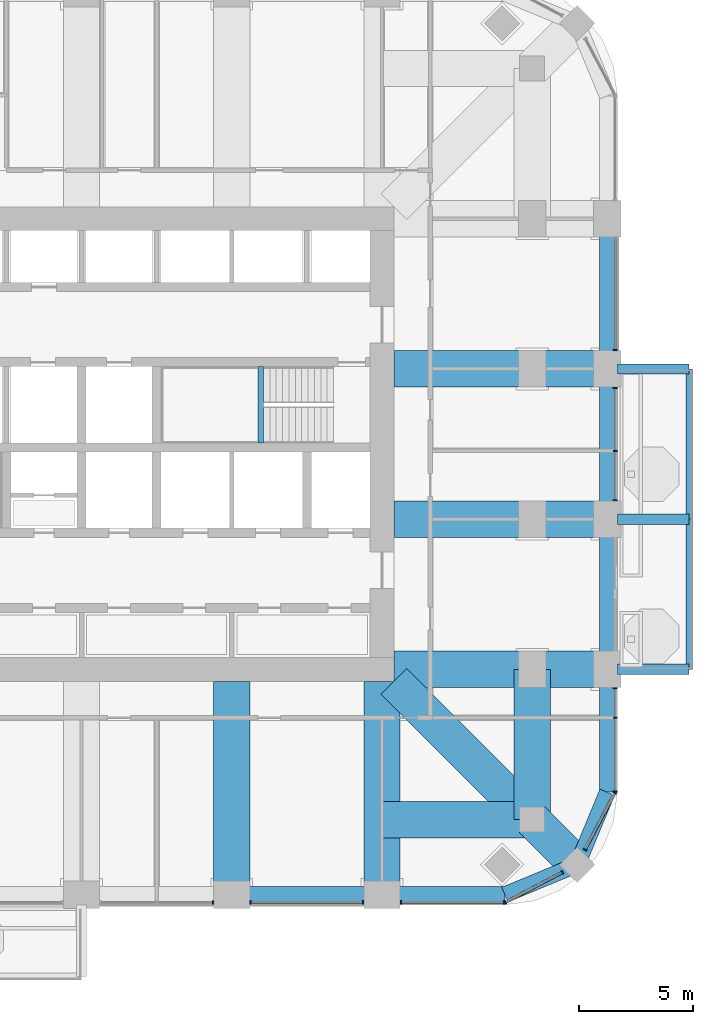
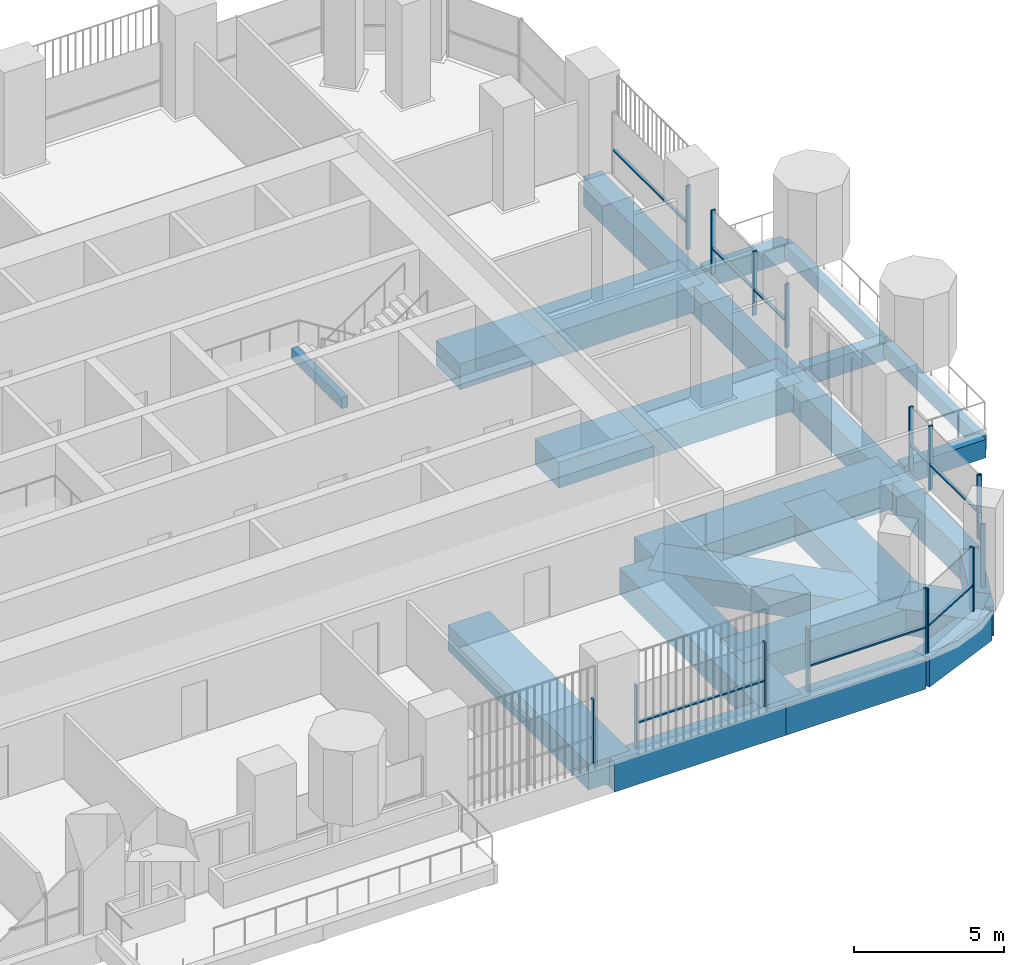
# One storey, part 5 of 20: 25 members, 23 beams, 8 elements without a shape of their own.
"""IFC4 building model written with IfcOpenShell, lengths in metres."""

from ifc_helpers import new_model, si_unit, direction, frame, origin, origin_2d, place, context, subcontext, project, spatial, rectangle, extrude, material, material_profile, profile_set, type_object, element, aggregate, save


model = new_model("IFC4")

# Units and contexts
model_context = context("Model", 3, precision=1e-05, world=origin(), true_north=direction((0.0, 1.0)))
body_context = subcontext(model_context, "Body", "Model", "MODEL_VIEW")
ifc_project = project(units=[si_unit("LENGTHUNIT", "METRE"), si_unit("AREAUNIT", "SQUARE_METRE"), si_unit("VOLUMEUNIT", "CUBIC_METRE"), si_unit("PLANEANGLEUNIT", "RADIAN"), si_unit("MASSUNIT", "GRAM", prefix="KILO")], contexts=[model_context])

# Site, building, storey
site_placement = place(None, origin())
site = spatial("IfcSite", under=ifc_project, at=site_placement, CompositionType="ELEMENT")
building_placement = place(site_placement, origin())
building = spatial("IfcBuilding", under=site, at=building_placement, Name="Cobogo Forest Laboratory Tower", CompositionType="ELEMENT")
storey_placement = place(building_placement, frame((0.0, 0.0, 210.300048828125)))
storey = spatial("IfcBuildingStorey", under=building, at=storey_placement, Name="L48", CompositionType="ELEMENT", Elevation=210.300048828125)

# Beams
ifc_material_1 = material(Name="Concrete HA-40 (C40/50)", Category="concrete")
ifc_material_profile_1 = material_profile(ifc_material_1, rectangle(XDim=0.449951171875, YDim=0.75, at=origin_2d()), Name="RC 450x750")
ifc_profile_set_1 = profile_set([ifc_material_profile_1], Name="Concrete HA-40 (C40/50)")
beam_type_1 = type_object("IfcBeamType", Name="Balcony cantilever beam 450x750", PredefinedType="BEAM", material=ifc_profile_set_1)
for number, where, z_axis, x_axis, name in (
    (1, (49.949951171875, 13.199951171875, -0.625), (1.0, 0.0, 0.0), (0.0, 1.0, 0.0), "CB1 BAL-E1-C1 L48"),
    (2, (49.949951171875, 19.800048828125, -0.625), (1.0, 0.0, 0.0), (0.0, 1.0, 0.0), "CB1 BAL-E1-C2 L48"),
    (3, (49.949951171875, 26.39990234375, -0.625), (1.0, 0.0, 0.0), (0.0, 1.0, 0.0), "CB1 BAL-E1-C3 L48"),
):
    element("IfcBeam", number, at=place(storey_placement, frame(where, z_axis=z_axis, x_axis=x_axis)), inside=storey, type_object=beam_type_1, Name=name, PredefinedType="BEAM", context=body_context, shape_type="SweptSolid", body=[
        extrude(rectangle(XDim=0.449951171875, YDim=0.75, at=origin_2d()), origin(), (0.0, 0.0, 1.0), 3.150146484375),
    ])
ifc_material_profile_2 = material_profile(ifc_material_1, rectangle(XDim=0.300048828125, YDim=0.60009765625, at=origin_2d()), Name="RC 300x600")
ifc_profile_set_2 = profile_set([ifc_material_profile_2], Name="Concrete HA-40 (C40/50)")
beam_type_2 = type_object("IfcBeamType", Name="Balcony edge beam 300x600", PredefinedType="BEAM", material=ifc_profile_set_2)
beam_1_placement = place(storey_placement, frame((53.10009765625, 13.199951171875, -0.550048828125), z_axis=(0.0, 1.0, 0.0), x_axis=(-1.0, 0.0, 0.0)))
element("IfcBeam", 4, at=beam_1_placement, inside=storey, type_object=beam_type_2, Name="BB1 BAL-E1-T1 L48", PredefinedType="BEAM", context=body_context, shape_type="SweptSolid", body=[
    extrude(rectangle(XDim=0.300048828125, YDim=0.60009765625, at=origin_2d()), origin(), (0.0, 0.0, 1.0), 6.60009765625),
])
beam_2_placement = place(storey_placement, frame((53.10009765625, 19.800048828125, -0.550048828125), z_axis=(0.0, 1.0, 0.0), x_axis=(-1.0, 0.0, 0.0)))
element("IfcBeam", 5, at=beam_2_placement, inside=storey, type_object=beam_type_2, Name="BB1 BAL-E1-T2 L48", PredefinedType="BEAM", context=body_context, shape_type="SweptSolid", body=[
    extrude(rectangle(XDim=0.300048828125, YDim=0.60009765625, at=origin_2d()), origin(), (0.0, 0.0, 1.0), 6.599853515625),
])
ifc_material_profile_3 = material_profile(ifc_material_1, rectangle(XDim=0.25, YDim=0.449951171875, at=origin_2d()), Name="RC 250x450")
ifc_profile_set_3 = profile_set([ifc_material_profile_3], Name="Concrete HA-40 (C40/50)")
beam_type_3 = type_object("IfcBeamType", Name="LB1 landing beam 250x450", PredefinedType="BEAM", material=ifc_profile_set_3)
beam_3_placement = place(storey_placement, frame((34.27001953125, 23.14990234375, 1.675048828125), z_axis=(0.0, 1.0, 0.0), x_axis=(-1.0, 0.0, 0.0)))
element("IfcBeam", 6, at=beam_3_placement, inside=storey, type_object=beam_type_3, Name="Landing beam ST2 L48", PredefinedType="BEAM", context=body_context, shape_type="SweptSolid", body=[
    extrude(rectangle(XDim=0.25, YDim=0.449951171875, at=origin_2d()), origin(), (0.0, 0.0, 1.0), 3.35009765625),
])
ifc_material_2 = material(Name="Concrete HA-50 (C50/60)", Category="concrete")
ifc_material_profile_4 = material_profile(ifc_material_2, rectangle(XDim=1.60009765625, YDim=1.050048828125, at=origin_2d()), Name="RC 1600x1050")
ifc_profile_set_4 = profile_set([ifc_material_profile_4], Name="Concrete HA-50 (C50/60)")
beam_type_4 = type_object("IfcBeamType", Name="Laboratory floor wide beam 1600x1050", PredefinedType="BEAM", material=ifc_profile_set_4)
for number, where, z_axis, x_axis, name in (
    (7, (33.0, 12.675048828125, -0.824951171875), (0.0, -1.0, 0.0), (1.0, 0.0, 0.0), "RB8 R-6-S L48"),
    (8, (39.60009765625, 12.675048828125, -0.824951171875), (0.0, -1.0, 0.0), (1.0, 0.0, 0.0), "RB8 R-7-S L48"),
    (9, (40.125, 13.199951171875, -0.824951171875), (1.0, 0.0, 0.0), (0.0, 1.0, 0.0), "RB8 R-C-E L48"),
    (10, (40.125, 19.800048828125, -0.824951171875), (1.0, 0.0, 0.0), (0.0, 1.0, 0.0), "RB8 R-D-E L48"),
    (11, (40.125, 26.39990234375, -0.824951171875), (1.0, 0.0, 0.0), (0.0, 1.0, 0.0), "RB8 R-E-E L48"),
):
    element("IfcBeam", number, at=place(storey_placement, frame(where, z_axis=z_axis, x_axis=x_axis)), inside=storey, type_object=beam_type_4, Name=name, PredefinedType="BEAM", context=body_context, shape_type="SweptSolid", body=[
        extrude(rectangle(XDim=1.60009765625, YDim=1.050048828125, at=origin_2d()), origin(), (0.0, 0.0, 1.0), 9.375),
    ])
for number, where, z_axis, x_axis, name in (
    (12, (46.199951171875, 6.60009765625, -0.824951171875), (0.0, 1.0, 0.0), (-1.0, 0.0, 0.0), "RB8 G-SE-XC L48"),
    (13, (46.199951171875, 6.60009765625, -0.824951171875), (-1.0, 0.0, 0.0), (0.0, -1.0, 0.0), "RB8 G-SE-YC L48"),
):
    element("IfcBeam", number, at=place(storey_placement, frame(where, z_axis=z_axis, x_axis=x_axis)), inside=storey, type_object=beam_type_4, Name=name, PredefinedType="BEAM", context=body_context, shape_type="SweptSolid", body=[
        extrude(rectangle(XDim=1.60009765625, YDim=1.050048828125, at=origin_2d()), origin(), (0.0, 0.0, 1.0), 6.599853515625),
    ])
beam_4_placement = place(storey_placement, frame((48.181884765625, 4.617919921875, -0.824951171875), z_axis=(-0.707063230743, 0.707150328948, 0.0), x_axis=(-0.707150328948, -0.707063230743, 0.0)))
element("IfcBeam", 14, at=beam_4_placement, inside=storey, type_object=beam_type_4, Name="RB8 G-SE-D1 L48", PredefinedType="BEAM", context=body_context, shape_type="SweptSolid", body=[
    extrude(rectangle(XDim=1.60009765625, YDim=1.050048828125, at=origin_2d()), origin(), (0.0, 0.0, 1.0), 2.802978515625),
])
beam_5_placement = place(storey_placement, frame((46.199951171875, 6.60009765625, -0.824951171875), z_axis=(-0.707106781187, 0.707106781187, 0.0), x_axis=(-0.707106781187, -0.707106781187, 0.0)))
element("IfcBeam", 15, at=beam_5_placement, inside=storey, type_object=beam_type_4, Name="RB8 G-SE-D2 L48", PredefinedType="BEAM", context=body_context, shape_type="SweptSolid", body=[
    extrude(rectangle(XDim=1.60009765625, YDim=1.050048828125, at=origin_2d()), origin(), (0.0, 0.0, 1.0), 8.59130859375),
])

# Curtain wall, member
ifc_material_3 = material(Name="Aluminium curtain wall", Category="aluminium")
curtain_wall_type = type_object("IfcCurtainWallType", Name="CW-2 unitised curtain wall, solar control glazing, laboratory floors zones C and D", PredefinedType="USERDEFINED", material=ifc_material_3)
curtain_wall_1_placement = place(storey_placement, origin())
curtain_wall_1 = element("IfcCurtainWall", 16, at=curtain_wall_1_placement, inside=storey, type_object=curtain_wall_type, Name="Curtain wall 04 L48", ObjectType="UNITISED CURTAIN WALL", PredefinedType="USERDEFINED")
ifc_material_4 = material(Name="Aluminium mullion", Category="aluminium")
ifc_material_profile_5 = material_profile(ifc_material_4, rectangle(XDim=0.06005859375, YDim=0.159912109375, at=origin_2d()), Name="AL 60x160")
ifc_profile_set_5 = profile_set([ifc_material_profile_5], Name="Aluminium mullion")
member_type_1 = type_object("IfcMemberType", Name="MU-1 aluminium mullion 60x160", PredefinedType="MULLION", material=ifc_profile_set_5)
member_1_placement = place(storey_placement, frame((32.169921875, 2.949951171875, 0.0), z_axis=(0.0, 0.0, 1.0), x_axis=(1.0, 0.0, 0.0)))
member_1 = element("IfcMember", 17, at=member_1_placement, type_object=member_type_1, Name="CW-2 mullion 3", PredefinedType="MULLION", context=body_context, shape_type="SweptSolid", body=[
    extrude(rectangle(XDim=0.06005859375, YDim=0.159912109375, at=origin_2d()), origin(), (0.0, 0.0, 1.0), 2.599853515625),
])
aggregate(curtain_wall_1, [member_1])

# Curtain wall, members
curtain_wall_2_placement = place(storey_placement, origin())
curtain_wall_2 = element("IfcCurtainWall", 18, at=curtain_wall_2_placement, inside=storey, type_object=curtain_wall_type, Name="Curtain wall 05 L48", ObjectType="UNITISED CURTAIN WALL", PredefinedType="USERDEFINED")
member_2_placement = place(storey_placement, frame((33.830078125, 2.949951171875, 0.0), z_axis=(0.0, 0.0, 1.0), x_axis=(1.0, 0.0, 0.0)))
member_2 = element("IfcMember", 19, at=member_2_placement, type_object=member_type_1, Name="CW-2 mullion 1", PredefinedType="MULLION", context=body_context, shape_type="SweptSolid", body=[
    extrude(rectangle(XDim=0.06005859375, YDim=0.159912109375, at=origin_2d()), origin(), (0.0, 0.0, 1.0), 2.599853515625),
])
member_3_placement = place(storey_placement, frame((38.77001953125, 2.949951171875, 0.0), z_axis=(0.0, 0.0, 1.0), x_axis=(1.0, 0.0, 0.0)))
member_3 = element("IfcMember", 20, at=member_3_placement, type_object=member_type_1, Name="CW-2 mullion 2", PredefinedType="MULLION", context=body_context, shape_type="SweptSolid", body=[
    extrude(rectangle(XDim=0.06005859375, YDim=0.159912109375, at=origin_2d()), origin(), (0.0, 0.0, 1.0), 2.599853515625),
])

curtain_wall_3_placement = place(storey_placement, origin())
curtain_wall_3 = element("IfcCurtainWall", 21, at=curtain_wall_3_placement, inside=storey, type_object=curtain_wall_type, Name="Curtain wall 06 L48", ObjectType="UNITISED CURTAIN WALL", PredefinedType="USERDEFINED")
member_4_placement = place(storey_placement, frame((40.429931640625, 2.949951171875, 0.0), z_axis=(0.0, 0.0, 1.0), x_axis=(1.0, 0.0, 0.0)))
member_4 = element("IfcMember", 22, at=member_4_placement, type_object=member_type_1, Name="CW-2 mullion 1", PredefinedType="MULLION", context=body_context, shape_type="SweptSolid", body=[
    extrude(rectangle(XDim=0.06005859375, YDim=0.159912109375, at=origin_2d()), origin(), (0.0, 0.0, 1.0), 2.599853515625),
])
member_5_placement = place(storey_placement, frame((44.969970703125, 2.949951171875, 0.0), z_axis=(0.0, 0.0, 1.0), x_axis=(1.0, 0.0, 0.0)))
member_5 = element("IfcMember", 23, at=member_5_placement, type_object=member_type_1, Name="CW-2 mullion 2", PredefinedType="MULLION", context=body_context, shape_type="SweptSolid", body=[
    extrude(rectangle(XDim=0.06005859375, YDim=0.159912109375, at=origin_2d()), origin(), (0.0, 0.0, 1.0), 2.599853515625),
])

curtain_wall_4_placement = place(storey_placement, origin())
curtain_wall_4 = element("IfcCurtainWall", 24, at=curtain_wall_4_placement, inside=storey, type_object=curtain_wall_type, Name="Curtain wall 07 L48", ObjectType="UNITISED CURTAIN WALL", PredefinedType="USERDEFINED")
member_6_placement = place(storey_placement, frame((45.026611328125, 2.9638671875, 0.0), z_axis=(0.0, 0.0, 1.0), x_axis=(0.885686484356, 0.464283804832, 0.0)))
member_6 = element("IfcMember", 25, at=member_6_placement, type_object=member_type_1, Name="CW-2 mullion 1", PredefinedType="MULLION", context=body_context, shape_type="SweptSolid", body=[
    extrude(rectangle(XDim=0.06005859375, YDim=0.159912109375, at=origin_2d()), origin(), (0.0, 0.0, 1.0), 2.599853515625),
])
member_7_placement = place(storey_placement, frame((47.5244140625, 4.2734375, 0.0), z_axis=(0.0, 0.0, 1.0), x_axis=(0.885686484356, 0.464283804832, 0.0)))
member_7 = element("IfcMember", 26, at=member_7_placement, type_object=member_type_1, Name="CW-2 mullion 2", PredefinedType="MULLION", context=body_context, shape_type="SweptSolid", body=[
    extrude(rectangle(XDim=0.06005859375, YDim=0.159912109375, at=origin_2d()), origin(), (0.0, 0.0, 1.0), 2.599853515625),
])

curtain_wall_5_placement = place(storey_placement, origin())
curtain_wall_5 = element("IfcCurtainWall", 27, at=curtain_wall_5_placement, inside=storey, type_object=curtain_wall_type, Name="Curtain wall 08 L48", ObjectType="UNITISED CURTAIN WALL", PredefinedType="USERDEFINED")
member_8_placement = place(storey_placement, frame((48.526611328125, 5.275634765625, 0.0), z_axis=(0.0, 0.0, 1.0), x_axis=(0.464283804832, 0.885686484356, 0.0)))
member_8 = element("IfcMember", 28, at=member_8_placement, type_object=member_type_1, Name="CW-2 mullion 1", PredefinedType="MULLION", context=body_context, shape_type="SweptSolid", body=[
    extrude(rectangle(XDim=0.06005859375, YDim=0.159912109375, at=origin_2d()), origin(), (0.0, 0.0, 1.0), 2.599853515625),
])
member_9_placement = place(storey_placement, frame((49.836181640625, 7.7734375, 0.0), z_axis=(0.0, 0.0, 1.0), x_axis=(0.464283804832, 0.885686484356, 0.0)))
member_9 = element("IfcMember", 29, at=member_9_placement, type_object=member_type_1, Name="CW-2 mullion 2", PredefinedType="MULLION", context=body_context, shape_type="SweptSolid", body=[
    extrude(rectangle(XDim=0.06005859375, YDim=0.159912109375, at=origin_2d()), origin(), (0.0, 0.0, 1.0), 2.599853515625),
])

curtain_wall_6_placement = place(storey_placement, origin())
curtain_wall_6 = element("IfcCurtainWall", 30, at=curtain_wall_6_placement, inside=storey, type_object=curtain_wall_type, Name="Curtain wall 09 L48", ObjectType="UNITISED CURTAIN WALL", PredefinedType="USERDEFINED")
member_10_placement = place(storey_placement, frame((49.85009765625, 7.830078125, 0.0), z_axis=(0.0, 0.0, 1.0), x_axis=(0.0, 1.0, 0.0)))
member_10 = element("IfcMember", 31, at=member_10_placement, type_object=member_type_1, Name="CW-2 mullion 1", PredefinedType="MULLION", context=body_context, shape_type="SweptSolid", body=[
    extrude(rectangle(XDim=0.06005859375, YDim=0.159912109375, at=origin_2d()), origin(), (0.0, 0.0, 1.0), 2.599853515625),
])
member_11_placement = place(storey_placement, frame((49.85009765625, 11.074951171875, 0.0), z_axis=(0.0, 0.0, 1.0), x_axis=(0.0, 1.0, 0.0)))
member_11 = element("IfcMember", 32, at=member_11_placement, type_object=member_type_1, Name="CW-2 mullion 2", PredefinedType="MULLION", context=body_context, shape_type="SweptSolid", body=[
    extrude(rectangle(XDim=0.06005859375, YDim=0.159912109375, at=origin_2d()), origin(), (0.0, 0.0, 1.0), 2.599853515625),
])
member_12_placement = place(storey_placement, frame((49.85009765625, 12.3701171875, 0.0), z_axis=(0.0, 0.0, 1.0), x_axis=(0.0, 1.0, 0.0)))
member_12 = element("IfcMember", 33, at=member_12_placement, type_object=member_type_1, Name="CW-2 mullion 3", PredefinedType="MULLION", context=body_context, shape_type="SweptSolid", body=[
    extrude(rectangle(XDim=0.06005859375, YDim=0.159912109375, at=origin_2d()), origin(), (0.0, 0.0, 1.0), 2.599853515625),
])

curtain_wall_7_placement = place(storey_placement, origin())
curtain_wall_7 = element("IfcCurtainWall", 34, at=curtain_wall_7_placement, inside=storey, type_object=curtain_wall_type, Name="Curtain wall 11 L48", ObjectType="UNITISED CURTAIN WALL", PredefinedType="USERDEFINED")
member_13_placement = place(storey_placement, frame((49.85009765625, 20.6298828125, 0.0), z_axis=(0.0, 0.0, 1.0), x_axis=(0.0, 1.0, 0.0)))
member_13 = element("IfcMember", 35, at=member_13_placement, type_object=member_type_1, Name="CW-2 mullion 1", PredefinedType="MULLION", context=body_context, shape_type="SweptSolid", body=[
    extrude(rectangle(XDim=0.06005859375, YDim=0.159912109375, at=origin_2d()), origin(), (0.0, 0.0, 1.0), 2.599853515625),
])
member_14_placement = place(storey_placement, frame((49.85009765625, 22.800048828125, 0.0), z_axis=(0.0, 0.0, 1.0), x_axis=(0.0, 1.0, 0.0)))
member_14 = element("IfcMember", 36, at=member_14_placement, type_object=member_type_1, Name="CW-2 mullion 2", PredefinedType="MULLION", context=body_context, shape_type="SweptSolid", body=[
    extrude(rectangle(XDim=0.06005859375, YDim=0.159912109375, at=origin_2d()), origin(), (0.0, 0.0, 1.0), 2.599853515625),
])
member_15_placement = place(storey_placement, frame((49.85009765625, 25.570068359375, 0.0), z_axis=(0.0, 0.0, 1.0), x_axis=(0.0, 1.0, 0.0)))
member_15 = element("IfcMember", 37, at=member_15_placement, type_object=member_type_1, Name="CW-2 mullion 3", PredefinedType="MULLION", context=body_context, shape_type="SweptSolid", body=[
    extrude(rectangle(XDim=0.06005859375, YDim=0.159912109375, at=origin_2d()), origin(), (0.0, 0.0, 1.0), 2.599853515625),
])

# Curtain wall, member
curtain_wall_8_placement = place(storey_placement, origin())
curtain_wall_8 = element("IfcCurtainWall", 38, at=curtain_wall_8_placement, inside=storey, type_object=curtain_wall_type, Name="Curtain wall 12 L48", ObjectType="UNITISED CURTAIN WALL", PredefinedType="USERDEFINED")
member_16_placement = place(storey_placement, frame((49.85009765625, 27.22998046875, 0.0), z_axis=(0.0, 0.0, 1.0), x_axis=(0.0, 1.0, 0.0)))
member_16 = element("IfcMember", 39, at=member_16_placement, type_object=member_type_1, Name="CW-2 mullion 1", PredefinedType="MULLION", context=body_context, shape_type="SweptSolid", body=[
    extrude(rectangle(XDim=0.06005859375, YDim=0.159912109375, at=origin_2d()), origin(), (0.0, 0.0, 1.0), 2.599853515625),
])

# Beams
ifc_material_profile_6 = material_profile(ifc_material_1, rectangle(XDim=0.699951171875, YDim=1.199951171875, at=origin_2d()), Name="RC 700x1200")
ifc_profile_set_6 = profile_set([ifc_material_profile_6], Name="Concrete HA-40 (C40/50)")
beam_type_5 = type_object("IfcBeamType", Name="Perimeter edge beam 700x1200", PredefinedType="BEAM", material=ifc_profile_set_6)
for number, where, z_axis, x_axis, name in (
    (40, (33.0, 3.300048828125, -0.900146484375), (1.0, 0.0, 0.0), (0.0, 1.0, 0.0), "EB1 E-S4 L48"),
    (41, (49.5, 13.199951171875, -0.900146484375), (0.0, 1.0, 0.0), (-1.0, 0.0, 0.0), "EB1 E-E1 L48"),
):
    element("IfcBeam", number, at=place(storey_placement, frame(where, z_axis=z_axis, x_axis=x_axis)), inside=storey, type_object=beam_type_5, Name=name, PredefinedType="BEAM", context=body_context, shape_type="SweptSolid", body=[
        extrude(rectangle(XDim=0.699951171875, YDim=1.199951171875, at=origin_2d()), origin(), (0.0, 0.0, 1.0), 6.60009765625),
    ])
beam_6_placement = place(storey_placement, frame((49.5, 19.800048828125, -0.900146484375), z_axis=(0.0, 1.0, 0.0), x_axis=(-1.0, 0.0, 0.0)))
element("IfcBeam", 42, at=beam_6_placement, inside=storey, type_object=beam_type_5, Name="EB1 E-E2 L48", PredefinedType="BEAM", context=body_context, shape_type="SweptSolid", body=[
    extrude(rectangle(XDim=0.699951171875, YDim=1.199951171875, at=origin_2d()), origin(), (0.0, 0.0, 1.0), 6.599853515625),
])
beam_7_placement = place(storey_placement, frame((49.5, 26.39990234375, -0.900146484375), z_axis=(0.0, 1.0, 0.0), x_axis=(-1.0, 0.0, 0.0)))
element("IfcBeam", 43, at=beam_7_placement, inside=storey, type_object=beam_type_5, Name="EB1 E-E3 L48", PredefinedType="BEAM", context=body_context, shape_type="SweptSolid", body=[
    extrude(rectangle(XDim=0.699951171875, YDim=1.199951171875, at=origin_2d()), origin(), (0.0, 0.0, 1.0), 6.60009765625),
])
beam_8_placement = place(storey_placement, frame((39.60009765625, 3.300048828125, -0.900146484375), z_axis=(1.0, 0.0, 0.0), x_axis=(0.0, 1.0, 0.0)))
element("IfcBeam", 44, at=beam_8_placement, inside=storey, type_object=beam_type_5, Name="EB1 E-SES1 L48", PredefinedType="BEAM", context=body_context, shape_type="SweptSolid", body=[
    extrude(rectangle(XDim=0.699951171875, YDim=1.199951171875, at=origin_2d()), origin(), (0.0, 0.0, 1.0), 5.39990234375),
])
beam_9_placement = place(storey_placement, frame((45.0, 3.300048828125, -0.900146484375), z_axis=(0.923890694089, 0.382656484822, 0.0), x_axis=(-0.382656484822, 0.923890694089, 0.0)))
element("IfcBeam", 45, at=beam_9_placement, inside=storey, type_object=beam_type_5, Name="EB1 E-SES2 L48", PredefinedType="BEAM", context=body_context, shape_type="SweptSolid", body=[
    extrude(rectangle(XDim=0.699951171875, YDim=1.199951171875, at=origin_2d()), origin(), (0.0, 0.0, 1.0), 3.444091796875),
])
beam_10_placement = place(storey_placement, frame((49.5, 13.199951171875, -0.900146484375), z_axis=(0.0, -1.0, 0.0), x_axis=(1.0, 0.0, 0.0)))
element("IfcBeam", 46, at=beam_10_placement, inside=storey, type_object=beam_type_5, Name="EB1 E-SEE1 L48", PredefinedType="BEAM", context=body_context, shape_type="SweptSolid", body=[
    extrude(rectangle(XDim=0.699951171875, YDim=1.199951171875, at=origin_2d()), origin(), (0.0, 0.0, 1.0), 5.39990234375),
])
beam_11_placement = place(storey_placement, frame((49.5, 7.800048828125, -0.900146484375), z_axis=(-0.382691928466, -0.923876013265, 0.0), x_axis=(0.923876013265, -0.382691928466, 0.0)))
element("IfcBeam", 47, at=beam_11_placement, inside=storey, type_object=beam_type_5, Name="EB1 E-SEE2 L48", PredefinedType="BEAM", context=body_context, shape_type="SweptSolid", body=[
    extrude(rectangle(XDim=0.699951171875, YDim=1.199951171875, at=origin_2d()), origin(), (0.0, 0.0, 1.0), 3.4443359375),
])

# Member
ifc_material_5 = material(Name="Aluminium transom", Category="aluminium")
ifc_material_profile_7 = material_profile(ifc_material_5, rectangle(XDim=0.1201171875, YDim=0.06005859375, at=origin_2d()), Name="AL 60x120")
ifc_profile_set_7 = profile_set([ifc_material_profile_7], Name="Aluminium transom")
member_type_2 = type_object("IfcMemberType", Name="TR-1 aluminium transom 60x120", PredefinedType="USERDEFINED", material=ifc_profile_set_7)
member_17_placement = place(storey_placement, frame((33.860107421875, 2.949951171875, 1.050048828125), z_axis=(1.0, 0.0, 0.0), x_axis=(0.0, 1.0, 0.0)))
member_17 = element("IfcMember", 48, at=member_17_placement, type_object=member_type_2, Name="CW-2 transom 1.1", ObjectType="TRANSOM", PredefinedType="USERDEFINED", context=body_context, shape_type="SweptSolid", body=[
    extrude(rectangle(XDim=0.1201171875, YDim=0.06005859375, at=origin_2d()), origin(), (0.0, 0.0, 1.0), 4.8798828125),
])

aggregate(curtain_wall_2, [member_2, member_3, member_17])

member_18_placement = place(storey_placement, frame((40.4599609375, 2.949951171875, 1.050048828125), z_axis=(1.0, 0.0, 0.0), x_axis=(0.0, 1.0, 0.0)))
member_18 = element("IfcMember", 49, at=member_18_placement, type_object=member_type_2, Name="CW-2 transom 1.1", ObjectType="TRANSOM", PredefinedType="USERDEFINED", context=body_context, shape_type="SweptSolid", body=[
    extrude(rectangle(XDim=0.1201171875, YDim=0.06005859375, at=origin_2d()), origin(), (0.0, 0.0, 1.0), 4.47998046875),
])

aggregate(curtain_wall_3, [member_4, member_5, member_18])

member_19_placement = place(storey_placement, frame((45.05322265625, 2.977783203125, 1.050048828125), z_axis=(0.885646224078, 0.464360598863, 0.0), x_axis=(-0.464360598863, 0.885646224078, 0.0)))
member_19 = element("IfcMember", 50, at=member_19_placement, type_object=member_type_2, Name="CW-2 transom 1.1", ObjectType="TRANSOM", PredefinedType="USERDEFINED", context=body_context, shape_type="SweptSolid", body=[
    extrude(rectangle(XDim=0.1201171875, YDim=0.06005859375, at=origin_2d()), origin(), (0.0, 0.0, 1.0), 2.76025390625),
])

aggregate(curtain_wall_4, [member_6, member_7, member_19])

member_20_placement = place(storey_placement, frame((48.54052734375, 5.302001953125, 1.050048828125), z_axis=(0.464254846591, 0.88570166389, 0.0), x_axis=(-0.88570166389, 0.464254846591, 0.0)))
member_20 = element("IfcMember", 51, at=member_20_placement, type_object=member_type_2, Name="CW-2 transom 1.1", ObjectType="TRANSOM", PredefinedType="USERDEFINED", context=body_context, shape_type="SweptSolid", body=[
    extrude(rectangle(XDim=0.1201171875, YDim=0.06005859375, at=origin_2d()), origin(), (0.0, 0.0, 1.0), 2.76025390625),
])

aggregate(curtain_wall_5, [member_8, member_9, member_20])

member_21_placement = place(storey_placement, frame((49.85009765625, 7.860107421875, 1.050048828125), z_axis=(0.0, 1.0, 0.0), x_axis=(-1.0, 0.0, 0.0)))
member_21 = element("IfcMember", 52, at=member_21_placement, type_object=member_type_2, Name="CW-2 transom 1.1", ObjectType="TRANSOM", PredefinedType="USERDEFINED", context=body_context, shape_type="SweptSolid", body=[
    extrude(rectangle(XDim=0.1201171875, YDim=0.06005859375, at=origin_2d()), origin(), (0.0, 0.0, 1.0), 3.184814453125),
])

member_22_placement = place(storey_placement, frame((49.85009765625, 11.10498046875, 1.050048828125), z_axis=(0.0, 1.0, 0.0), x_axis=(-1.0, 0.0, 0.0)))
member_22 = element("IfcMember", 53, at=member_22_placement, type_object=member_type_2, Name="CW-2 transom 2.1", ObjectType="TRANSOM", PredefinedType="USERDEFINED", context=body_context, shape_type="SweptSolid", body=[
    extrude(rectangle(XDim=0.1201171875, YDim=0.06005859375, at=origin_2d()), origin(), (0.0, 0.0, 1.0), 1.235107421875),
])

aggregate(curtain_wall_6, [member_10, member_11, member_12, member_21, member_22])

member_23_placement = place(storey_placement, frame((49.85009765625, 20.659912109375, 1.050048828125), z_axis=(0.0, 1.0, 0.0), x_axis=(-1.0, 0.0, 0.0)))
member_23 = element("IfcMember", 54, at=member_23_placement, type_object=member_type_2, Name="CW-2 transom 1.1", ObjectType="TRANSOM", PredefinedType="USERDEFINED", context=body_context, shape_type="SweptSolid", body=[
    extrude(rectangle(XDim=0.1201171875, YDim=0.06005859375, at=origin_2d()), origin(), (0.0, 0.0, 1.0), 2.110107421875),
])

member_24_placement = place(storey_placement, frame((49.85009765625, 22.830078125, 1.050048828125), z_axis=(0.0, 1.0, 0.0), x_axis=(-1.0, 0.0, 0.0)))
member_24 = element("IfcMember", 55, at=member_24_placement, type_object=member_type_2, Name="CW-2 transom 2.1", ObjectType="TRANSOM", PredefinedType="USERDEFINED", context=body_context, shape_type="SweptSolid", body=[
    extrude(rectangle(XDim=0.1201171875, YDim=0.06005859375, at=origin_2d()), origin(), (0.0, 0.0, 1.0), 2.7099609375),
])

aggregate(curtain_wall_7, [member_13, member_14, member_15, member_23, member_24])

member_25_placement = place(storey_placement, frame((49.85009765625, 27.260009765625, 1.050048828125), z_axis=(0.0, 1.0, 0.0), x_axis=(-1.0, 0.0, 0.0)))
member_25 = element("IfcMember", 56, at=member_25_placement, type_object=member_type_2, Name="CW-2 transom 1.1", ObjectType="TRANSOM", PredefinedType="USERDEFINED", context=body_context, shape_type="SweptSolid", body=[
    extrude(rectangle(XDim=0.1201171875, YDim=0.06005859375, at=origin_2d()), origin(), (0.0, 0.0, 1.0), 4.8798828125),
])

aggregate(curtain_wall_8, [member_16, member_25])

save(model, "model.ifc")
